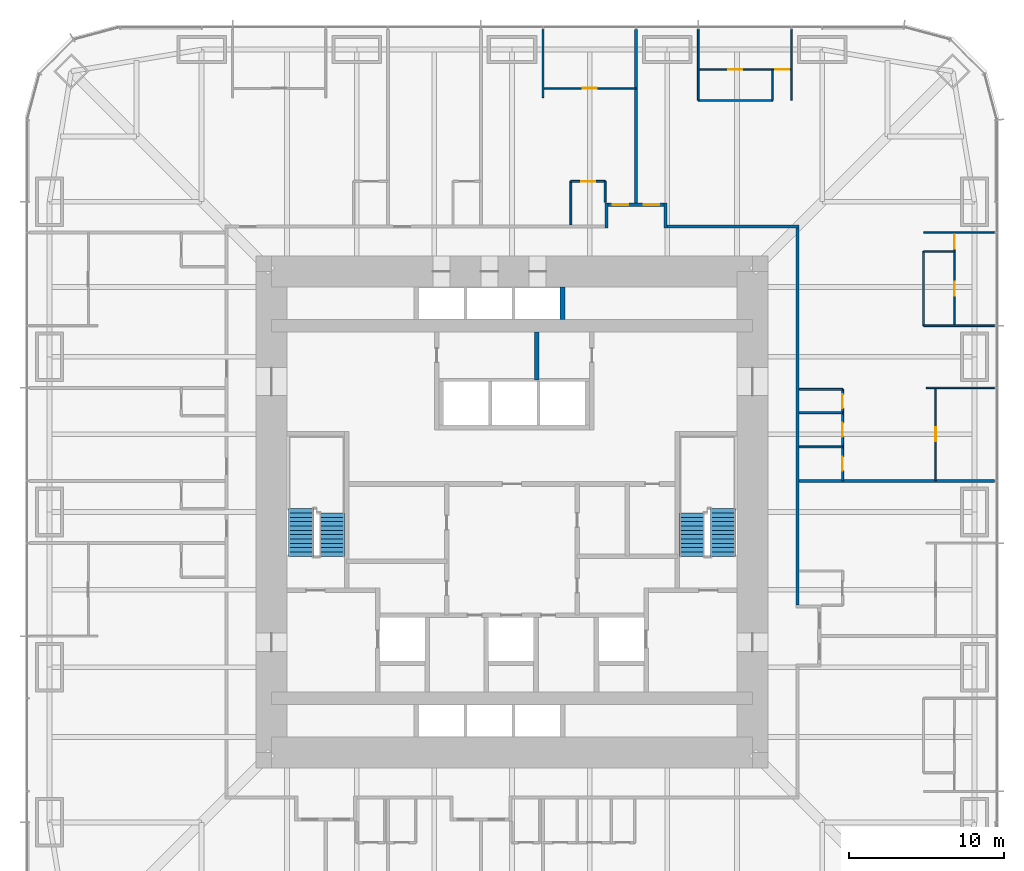
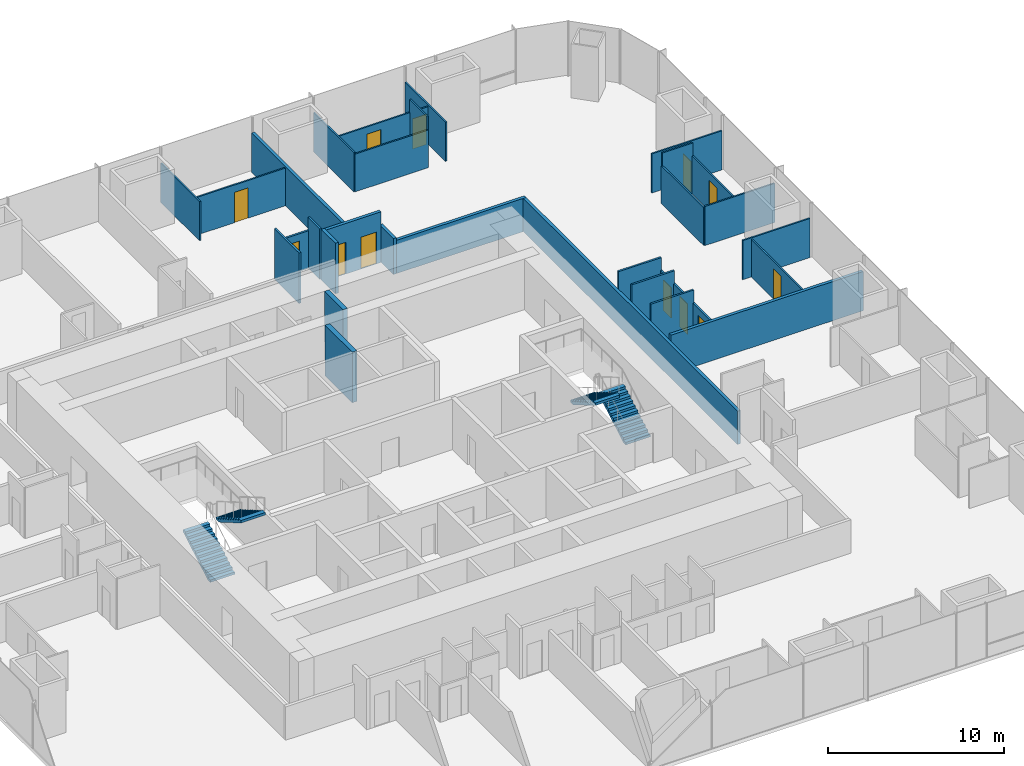
# One storey, part 15 of 16: 30 walls, 12 doors, 4 stair flights, 12 openings, 2 elements without a shape of their own.
"""IFC4 building model written with IfcOpenShell, lengths in metres."""

from ifc_helpers import new_model, si_unit, direction, frame, frame_2d, origin, place, context, subcontext, project, spatial, polyline, rectangle, outline, extrude, material, layer, layer_set, type_object, element, fill, aggregate, save


model = new_model("IFC4")

# Units and contexts
model_context = context("Model", 3, precision=1e-05, world=origin(), true_north=direction((0.0, 1.0)))
body_context = subcontext(model_context, "Body", "Model", "MODEL_VIEW")
ifc_project = project(units=[si_unit("LENGTHUNIT", "METRE"), si_unit("AREAUNIT", "SQUARE_METRE"), si_unit("VOLUMEUNIT", "CUBIC_METRE"), si_unit("PLANEANGLEUNIT", "RADIAN"), si_unit("MASSUNIT", "GRAM", prefix="KILO")], contexts=[model_context])

# Site, building, storey
site_placement = place(None, origin())
site = spatial("IfcSite", under=ifc_project, at=site_placement, CompositionType="ELEMENT")
building_placement = place(site_placement, origin())
building = spatial("IfcBuilding", under=site, at=building_placement, Name="Khuree Lantern Residences", CompositionType="ELEMENT")
storey_placement = place(building_placement, frame((0.0, 0.0, 66.0)))
storey = spatial("IfcBuildingStorey", under=building, at=storey_placement, Name="L16", CompositionType="ELEMENT", Elevation=66.0)

# Wall, openings, doors
ifc_material_1 = material(Name="Moisture-resistant gypsum board on steel studs", Category="steel")
ifc_layer_1 = layer(ifc_material_1, 0.125)
ifc_layer_set_1 = layer_set([ifc_layer_1], Name="BATHROOM WALL BTW125")
wall_type_1 = type_object("IfcWallType", Name="BATHROOM WALL BTW125", PredefinedType="PARTITIONING", material=ifc_layer_set_1)
wall_1_placement = place(storey_placement, frame((21.300048828125, 2.0, 0.0), z_axis=(0.0, 0.0, 1.0), x_axis=(0.0, 1.0, 0.0)))
wall_1 = element("IfcWall", 1, at=wall_1_placement, inside=storey, type_object=wall_type_1, Name="L16 BATHROOM WALL 02", PredefinedType="PARTITIONING", context=body_context, shape_type="SweptSolid", body=[
    extrude(rectangle(XDim=5.89990234375, YDim=0.125, at=frame_2d((2.949951171875, 0.0))), origin(), (0.0, 0.0, 1.0), 2.610107421875),
])
opening_1_placement = place(wall_1_placement, frame((0.64990234375, 0.0, 0.0)))
opening_1 = element("IfcOpeningElement", 2, at=opening_1_placement, cuts=wall_1, Name="Opening 16-031", PredefinedType="OPENING", context=body_context, shape_type="SweptSolid", body=[
    extrude(rectangle(XDim=0.89990234375, YDim=2.10009765625, at=frame_2d((0.449951171875, 1.050048828125))), frame((0.0, 0.072509765625, 0.0), z_axis=(0.0, -1.0, 0.0), x_axis=(1.0, 0.0, 0.0)), (0.0, 0.0, 1.0), 0.14501953125),
])
opening_2_placement = place(wall_1_placement, frame((2.85009765625, 0.0, 0.0)))
opening_2 = element("IfcOpeningElement", 3, at=opening_2_placement, cuts=wall_1, Name="Opening 16-032", PredefinedType="OPENING", context=body_context, shape_type="SweptSolid", body=[
    extrude(rectangle(XDim=0.89990234375, YDim=2.10009765625, at=frame_2d((0.449951171875, 1.050048828125))), frame((0.0, 0.072509765625, 0.0), z_axis=(0.0, -1.0, 0.0), x_axis=(1.0, 0.0, 0.0)), (0.0, 0.0, 1.0), 0.14501953125),
])
opening_3_placement = place(wall_1_placement, frame((4.699951171875, 0.0, 0.0)))
opening_3 = element("IfcOpeningElement", 4, at=opening_3_placement, cuts=wall_1, Name="Opening 16-033", PredefinedType="OPENING", context=body_context, shape_type="SweptSolid", body=[
    extrude(rectangle(XDim=0.89990234375, YDim=2.10009765625, at=frame_2d((0.449951171875, 1.050048828125))), frame((0.0, 0.072509765625, 0.0), z_axis=(0.0, -1.0, 0.0), x_axis=(1.0, 0.0, 0.0)), (0.0, 0.0, 1.0), 0.14501953125),
])
ifc_material_2 = material(Name="Timber door leaf in hardwood frame", Category="wood")
door_type_1 = type_object("IfcDoorType", Name="BATHROOM DOOR 900X2100", OperationType="SINGLE_SWING_LEFT", PredefinedType="DOOR", material=ifc_material_2)
door_1_placement = place(opening_1_placement, origin())
door_1 = element("IfcDoor", 5, at=door_1_placement, inside=storey, type_object=door_type_1, Name="Bathroom door 16-031", OperationType="SINGLE_SWING_LEFT", OverallHeight=2.10009765625, OverallWidth=0.89990234375, PredefinedType="DOOR", context=body_context, shape_type="SweptSolid", body=[
    extrude(rectangle(XDim=0.89990234375, YDim=2.10009765625, at=frame_2d((0.449951171875, 1.050048828125))), frame((0.0, 0.02490234375, 0.0), z_axis=(0.0, -1.0, 0.0), x_axis=(1.0, 0.0, 0.0)), (0.0, 0.0, 1.0), 0.050048828125),
])
fill(opening_1, door_1)
door_2_placement = place(opening_2_placement, origin())
door_2 = element("IfcDoor", 6, at=door_2_placement, inside=storey, type_object=door_type_1, Name="Bathroom door 16-032", OperationType="SINGLE_SWING_LEFT", OverallHeight=2.10009765625, OverallWidth=0.89990234375, PredefinedType="DOOR", context=body_context, shape_type="SweptSolid", body=[
    extrude(rectangle(XDim=0.89990234375, YDim=2.10009765625, at=frame_2d((0.449951171875, 1.050048828125))), frame((0.0, 0.02490234375, 0.0), z_axis=(0.0, -1.0, 0.0), x_axis=(1.0, 0.0, 0.0)), (0.0, 0.0, 1.0), 0.050048828125),
])
fill(opening_2, door_2)
door_type_2 = type_object("IfcDoorType", Name="WC DOOR 900X2100", OperationType="SINGLE_SWING_LEFT", PredefinedType="DOOR", material=ifc_material_2)
door_3_placement = place(opening_3_placement, origin())
door_3 = element("IfcDoor", 7, at=door_3_placement, inside=storey, type_object=door_type_2, Name="WC door 16-033", OperationType="SINGLE_SWING_LEFT", OverallHeight=2.10009765625, OverallWidth=0.89990234375, PredefinedType="DOOR", context=body_context, shape_type="SweptSolid", body=[
    extrude(rectangle(XDim=0.89990234375, YDim=2.10009765625, at=frame_2d((0.449951171875, 1.050048828125))), frame((0.0, 0.02490234375, 0.0), z_axis=(0.0, -1.0, 0.0), x_axis=(1.0, 0.0, 0.0)), (0.0, 0.0, 1.0), 0.050048828125),
])
fill(opening_3, door_3)

# Walls
for number, where, z_axis, x_axis, name in (
    (8, (18.5, 4.199951171875, 0.0), (0.0, 0.0, 1.0), (1.0, 0.0, 0.0), "L16 BATHROOM WALL 02"),
    (9, (18.5, 6.39990234375, 0.0), (0.0, 0.0, 1.0), (1.0, 0.0, 0.0), "L16 BATHROOM WALL 02"),
    (10, (18.5, 7.89990234375, 0.0), (0.0, 0.0, 1.0), (1.0, 0.0, 0.0), "L16 BATHROOM WALL 02"),
):
    element("IfcWall", number, at=place(storey_placement, frame(where, z_axis=z_axis, x_axis=x_axis)), inside=storey, type_object=wall_type_1, Name=name, PredefinedType="PARTITIONING", context=body_context, shape_type="SweptSolid", body=[
        extrude(rectangle(XDim=2.800048828125, YDim=0.125, at=frame_2d((1.39990234375, 0.0))), origin(), (0.0, 0.0, 1.0), 3.5),
    ])

# Wall, opening, door
wall_2_placement = place(storey_placement, frame((6.0, 21.300048828125, 0.0), z_axis=(0.0, 0.0, 1.0), x_axis=(-1.0, 0.0, 0.0)))
wall_2 = element("IfcWall", 11, at=wall_2_placement, inside=storey, type_object=wall_type_1, Name="L16 BATHROOM WALL 03", PredefinedType="PARTITIONING", context=body_context, shape_type="SweptSolid", body=[
    extrude(rectangle(XDim=2.199951171875, YDim=0.125, at=frame_2d((1.10009765625, 0.0))), origin(), (0.0, 0.0, 1.0), 2.610107421875),
])
opening_4_placement = place(wall_2_placement, frame((0.64990234375, 0.0, 0.0)))
opening_4 = element("IfcOpeningElement", 12, at=opening_4_placement, cuts=wall_2, Name="Opening 16-036", PredefinedType="OPENING", context=body_context, shape_type="SweptSolid", body=[
    extrude(rectangle(XDim=0.89990234375, YDim=2.10009765625, at=frame_2d((0.449951171875, 1.050048828125))), frame((0.0, 0.072509765625, 0.0), z_axis=(0.0, -1.0, 0.0), x_axis=(1.0, 0.0, 0.0)), (0.0, 0.0, 1.0), 0.14501953125),
])
door_4_placement = place(opening_4_placement, origin())
door_4 = element("IfcDoor", 13, at=door_4_placement, inside=storey, type_object=door_type_1, Name="Bathroom door 16-036", OperationType="SINGLE_SWING_LEFT", OverallHeight=2.10009765625, OverallWidth=0.89990234375, PredefinedType="DOOR", context=body_context, shape_type="SweptSolid", body=[
    extrude(rectangle(XDim=0.89990234375, YDim=2.10009765625, at=frame_2d((0.449951171875, 1.050048828125))), frame((0.0, 0.02490234375, 0.0), z_axis=(0.0, -1.0, 0.0), x_axis=(1.0, 0.0, 0.0)), (0.0, 0.0, 1.0), 0.050048828125),
])
fill(opening_4, door_4)

# Walls
wall_3_placement = place(storey_placement, frame((6.0, 19.969970703125, 0.0), z_axis=(0.0, 0.0, 1.0), x_axis=(0.0, 1.0, 0.0)))
element("IfcWall", 14, at=wall_3_placement, inside=storey, type_object=wall_type_1, Name="L16 BATHROOM WALL 03", PredefinedType="PARTITIONING", context=body_context, shape_type="SweptSolid", body=[
    extrude(rectangle(XDim=1.330078125, YDim=0.125, at=frame_2d((0.6650390625, 0.0))), origin(), (0.0, 0.0, 1.0), 3.5),
])
wall_4_placement = place(storey_placement, frame((3.800048828125, 18.5, 0.0), z_axis=(0.0, 0.0, 1.0), x_axis=(0.0, 1.0, 0.0)))
element("IfcWall", 15, at=wall_4_placement, inside=storey, type_object=wall_type_1, Name="L16 BATHROOM WALL 03", PredefinedType="PARTITIONING", context=body_context, shape_type="SweptSolid", body=[
    extrude(rectangle(XDim=2.800048828125, YDim=0.125, at=frame_2d((1.39990234375, 0.0))), origin(), (0.0, 0.0, 1.0), 3.5),
])
ifc_material_3 = material(Name="Dense concrete blockwork", Category="masonry")
ifc_layer_2 = layer(ifc_material_3, 0.300048828125)
ifc_layer_set_2 = layer_set([ifc_layer_2], Name="CORE PARTITION WALL CPW300 EI 120")
wall_type_2 = type_object("IfcWallType", Name="CORE PARTITION WALL CPW300 EI 120", PredefinedType="PARTITIONING", material=ifc_layer_set_2)
wall_5_placement = place(storey_placement, frame((3.25, 12.39990234375, 0.0), z_axis=(0.0, 0.0, 1.0), x_axis=(0.0, 1.0, 0.0)))
element("IfcWall", 16, at=wall_5_placement, inside=storey, type_object=wall_type_2, Name="L16 CORE WALL PLE", PredefinedType="PARTITIONING", context=body_context, shape_type="SweptSolid", body=[
    extrude(rectangle(XDim=2.10009765625, YDim=0.300048828125, at=frame_2d((1.050048828125, 0.0))), origin(), (0.0, 0.0, 1.0), 3.5),
])
wall_6_placement = place(storey_placement, frame((1.60009765625, 8.5, 0.0), z_axis=(0.0, 0.0, 1.0), x_axis=(0.0, 1.0, 0.0)))
element("IfcWall", 17, at=wall_6_placement, inside=storey, type_object=wall_type_2, Name="L16 CORE WALL NX", PredefinedType="PARTITIONING", context=body_context, shape_type="SweptSolid", body=[
    extrude(rectangle(XDim=3.10009765625, YDim=0.300048828125, at=frame_2d((1.550048828125, 0.0))), origin(), (0.0, 0.0, 1.0), 3.5),
])
ifc_material_4 = material(Name="Gypsum board on steel studs", Category="steel")
ifc_layer_3 = layer(ifc_material_4, 0.199951171875)
ifc_layer_set_3 = layer_set([ifc_layer_3], Name="CORRIDOR WALL CRW200 EI 60")
wall_type_3 = type_object("IfcWallType", Name="CORRIDOR WALL CRW200 EI 60", PredefinedType="PARTITIONING", material=ifc_layer_set_3)
wall_7_placement = place(storey_placement, frame((18.39990234375, -6.0, 0.0), z_axis=(0.0, 0.0, 1.0), x_axis=(0.0, 1.0, 0.0)))
element("IfcWall", 18, at=wall_7_placement, inside=storey, type_object=wall_type_3, Name="L16 CORRIDOR WALL EAST 2", PredefinedType="PARTITIONING", context=body_context, shape_type="SweptSolid", body=[
    extrude(rectangle(XDim=24.300048828125, YDim=0.199951171875, at=frame_2d((12.14990234375, 0.0))), origin(), (0.0, 0.0, 1.0), 2.300048828125),
])
wall_8_placement = place(storey_placement, frame((6.10009765625, 18.300048828125, 0.0), z_axis=(0.0, 0.0, 1.0), x_axis=(0.0, 1.0, 0.0)))
element("IfcWall", 19, at=wall_8_placement, inside=storey, type_object=wall_type_3, Name="L16 CORRIDOR ALCOVE WALL NORTH", PredefinedType="PARTITIONING", context=body_context, shape_type="SweptSolid", body=[
    extrude(rectangle(XDim=1.599853515625, YDim=0.199951171875, at=frame_2d((0.7998046875, 0.0))), origin(), (0.0, 0.0, 1.0), 3.5),
])
wall_9_placement = place(storey_placement, frame((9.89990234375, 18.300048828125, 0.0), z_axis=(0.0, 0.0, 1.0), x_axis=(0.0, 1.0, 0.0)))
element("IfcWall", 20, at=wall_9_placement, inside=storey, type_object=wall_type_3, Name="L16 CORRIDOR ALCOVE WALL NORTH", PredefinedType="PARTITIONING", context=body_context, shape_type="SweptSolid", body=[
    extrude(rectangle(XDim=1.599853515625, YDim=0.199951171875, at=frame_2d((0.7998046875, 0.0))), origin(), (0.0, 0.0, 1.0), 2.491943359375),
])

# Wall, openings, doors
wall_10_placement = place(storey_placement, frame((6.199951171875, 19.800048828125, 0.0), z_axis=(0.0, 0.0, 1.0), x_axis=(1.0, 0.0, 0.0)))
wall_10 = element("IfcWall", 21, at=wall_10_placement, inside=storey, type_object=wall_type_3, Name="L16 CORRIDOR ALCOVE WALL NORTH", PredefinedType="PARTITIONING", context=body_context, shape_type="SweptSolid", body=[
    extrude(rectangle(XDim=3.60009765625, YDim=0.199951171875, at=frame_2d((1.800048828125, 0.0))), origin(), (0.0, 0.0, 1.0), 3.5),
])
opening_5_placement = place(wall_10_placement, frame((2.300048828125, 0.0, 0.0)))
opening_5 = element("IfcOpeningElement", 22, at=opening_5_placement, cuts=wall_10, Name="Opening 16-034", PredefinedType="OPENING", context=body_context, shape_type="SweptSolid", body=[
    extrude(rectangle(XDim=1.0, YDim=2.199951171875, at=frame_2d((0.5, 1.10009765625))), frame((0.0, 0.10986328125, 0.0), z_axis=(0.0, -1.0, 0.0), x_axis=(1.0, 0.0, 0.0)), (0.0, 0.0, 1.0), 0.219970703125),
])
opening_6_placement = place(wall_10_placement, frame((0.300048828125, 0.0, 0.0)))
opening_6 = element("IfcOpeningElement", 23, at=opening_6_placement, cuts=wall_10, Name="Opening 16-037", PredefinedType="OPENING", context=body_context, shape_type="SweptSolid", body=[
    extrude(rectangle(XDim=1.0, YDim=2.199951171875, at=frame_2d((0.5, 1.10009765625))), frame((0.0, 0.10986328125, 0.0), z_axis=(0.0, -1.0, 0.0), x_axis=(1.0, 0.0, 0.0)), (0.0, 0.0, 1.0), 0.219970703125),
])
door_type_3 = type_object("IfcDoorType", Name="APARTMENT ENTRANCE DOOR 1000X2200 EI 30S", OperationType="SINGLE_SWING_LEFT", PredefinedType="DOOR", material=ifc_material_2)
door_5_placement = place(opening_5_placement, origin())
door_5 = element("IfcDoor", 24, at=door_5_placement, inside=storey, type_object=door_type_3, Name="Apartment 02 entrance door 16-034", OperationType="SINGLE_SWING_LEFT", OverallHeight=2.199951171875, OverallWidth=1.0, PredefinedType="DOOR", context=body_context, shape_type="SweptSolid", body=[
    extrude(rectangle(XDim=1.0, YDim=2.199951171875, at=frame_2d((0.5, 1.10009765625))), frame((0.0, 0.02490234375, 0.0), z_axis=(0.0, -1.0, 0.0), x_axis=(1.0, 0.0, 0.0)), (0.0, 0.0, 1.0), 0.050048828125),
])
fill(opening_5, door_5)
door_6_placement = place(opening_6_placement, origin())
door_6 = element("IfcDoor", 25, at=door_6_placement, inside=storey, type_object=door_type_3, Name="Apartment 03 entrance door 16-037", OperationType="SINGLE_SWING_LEFT", OverallHeight=2.199951171875, OverallWidth=1.0, PredefinedType="DOOR", context=body_context, shape_type="SweptSolid", body=[
    extrude(rectangle(XDim=1.0, YDim=2.199951171875, at=frame_2d((0.5, 1.10009765625))), frame((0.0, 0.02490234375, 0.0), z_axis=(0.0, -1.0, 0.0), x_axis=(1.0, 0.0, 0.0)), (0.0, 0.0, 1.0), 0.050048828125),
])
fill(opening_6, door_6)

# Walls
wall_11_placement = place(storey_placement, frame((10.0, 18.39990234375, 0.0), z_axis=(0.0, 0.0, 1.0), x_axis=(1.0, 0.0, 0.0)))
element("IfcWall", 26, at=wall_11_placement, inside=storey, type_object=wall_type_3, Name="L16 CORRIDOR WALL NORTH 2", PredefinedType="PARTITIONING", context=body_context, shape_type="SweptSolid", body=[
    extrude(rectangle(XDim=8.5, YDim=0.199951171875, at=frame_2d((4.25, 0.0))), origin(), (0.0, 0.0, 1.0), 2.300048828125),
])
ifc_layer_4 = layer(ifc_material_4, 0.199951171875)
ifc_layer_set_4 = layer_set([ifc_layer_4], Name="DEMISING WALL DMW200 EI 90")
wall_type_4 = type_object("IfcWallType", Name="DEMISING WALL DMW200 EI 90", PredefinedType="PARTITIONING", material=ifc_layer_set_4)
wall_12_placement = place(storey_placement, frame((18.5, 2.0, 0.0), z_axis=(0.0, 0.0, 1.0), x_axis=(1.0, 0.0, 0.0)))
element("IfcWall", 27, at=wall_12_placement, inside=storey, type_object=wall_type_4, Name="L16 DEMISING WALL 02", PredefinedType="PARTITIONING", context=body_context, shape_type="SweptSolid", body=[
    extrude(rectangle(XDim=12.60009765625, YDim=0.199951171875, at=frame_2d((6.300048828125, 0.0))), origin(), (0.0, 0.0, 1.0), 2.7099609375),
])
wall_13_placement = place(storey_placement, frame((8.0, 19.89990234375, 0.0), z_axis=(0.0, 0.0, 1.0), x_axis=(0.0, 1.0, 0.0)))
element("IfcWall", 28, at=wall_13_placement, inside=storey, type_object=wall_type_4, Name="L16 DEMISING WALL 03", PredefinedType="PARTITIONING", context=body_context, shape_type="SweptSolid", body=[
    extrude(rectangle(XDim=11.2001953125, YDim=0.199951171875, at=frame_2d((5.60009765625, 0.0))), origin(), (0.0, 0.0, 1.0), 2.7099609375),
])
ifc_layer_5 = layer(ifc_material_4, 0.10009765625)
ifc_layer_set_5 = layer_set([ifc_layer_5], Name="PARTITION PT100")
wall_type_5 = type_object("IfcWallType", Name="PARTITION PT100", PredefinedType="PARTITIONING", material=ifc_layer_set_5)
wall_14_placement = place(storey_placement, frame((26.699951171875, 8.0, 0.0), z_axis=(0.0, 0.0, 1.0), x_axis=(1.0, 0.0, 0.0)))
element("IfcWall", 29, at=wall_14_placement, inside=storey, type_object=wall_type_5, Name="L16 PARTITION 02", PredefinedType="PARTITIONING", context=body_context, shape_type="SweptSolid", body=[
    extrude(rectangle(XDim=4.400146484375, YDim=0.10009765625, at=frame_2d((2.2001953125, 0.0))), origin(), (0.0, 0.0, 1.0), 2.7099609375),
])
for number, where, z_axis, x_axis, name in (
    (30, (26.5166015625, 12.0, 0.0), (0.0, 0.0, 1.0), (1.0, 0.0, 0.0), "L16 PARTITION 02"),
    (31, (26.5166015625, 18.0, 0.0), (0.0, 0.0, 1.0), (1.0, 0.0, 0.0), "L16 PARTITION 02"),
    (32, (18.0, 26.5166015625, 0.0), (0.0, 0.0, 1.0), (0.0, 1.0, 0.0), "L16 PARTITION 02"),
    (33, (12.0, 26.5166015625, 0.0), (0.0, 0.0, 1.0), (0.0, 1.0, 0.0), "L16 PARTITION 02"),
):
    element("IfcWall", number, at=place(storey_placement, frame(where, z_axis=z_axis, x_axis=x_axis)), inside=storey, type_object=wall_type_5, Name=name, PredefinedType="PARTITIONING", context=body_context, shape_type="SweptSolid", body=[
        extrude(rectangle(XDim=4.58349609375, YDim=0.10009765625, at=frame_2d((2.291748046875, 0.0))), origin(), (0.0, 0.0, 1.0), 2.7099609375),
    ])
wall_15_placement = place(storey_placement, frame((2.0, 26.699951171875, 0.0), z_axis=(0.0, 0.0, 1.0), x_axis=(0.0, 1.0, 0.0)))
element("IfcWall", 34, at=wall_15_placement, inside=storey, type_object=wall_type_5, Name="L16 PARTITION 03", PredefinedType="PARTITIONING", context=body_context, shape_type="SweptSolid", body=[
    extrude(rectangle(XDim=4.400146484375, YDim=0.10009765625, at=frame_2d((2.2001953125, 0.0))), origin(), (0.0, 0.0, 1.0), 2.7099609375),
])

# Wall, opening, door
wall_16_placement = place(storey_placement, frame((27.300048828125, 2.0, 0.0), z_axis=(0.0, 0.0, 1.0), x_axis=(0.0, 1.0, 0.0)))
wall_16 = element("IfcWall", 35, at=wall_16_placement, inside=storey, type_object=wall_type_5, Name="L16 PARTITION 02", PredefinedType="PARTITIONING", context=body_context, shape_type="SweptSolid", body=[
    extrude(rectangle(XDim=6.0, YDim=0.10009765625, at=frame_2d((3.0, 0.0))), origin(), (0.0, 0.0, 1.0), 2.610107421875),
])
opening_7_placement = place(wall_16_placement, frame((2.550048828125, 0.0, 0.0)))
opening_7 = element("IfcOpeningElement", 36, at=opening_7_placement, cuts=wall_16, Name="Opening 16-026", PredefinedType="OPENING", context=body_context, shape_type="SweptSolid", body=[
    extrude(rectangle(XDim=0.89990234375, YDim=2.10009765625, at=frame_2d((0.449951171875, 1.050048828125))), frame((0.0, 0.06005859375, 0.0), z_axis=(0.0, -1.0, 0.0), x_axis=(1.0, 0.0, 0.0)), (0.0, 0.0, 1.0), 0.1201171875),
])
door_type_4 = type_object("IfcDoorType", Name="BEDROOM DOOR 900X2100", OperationType="SINGLE_SWING_LEFT", PredefinedType="DOOR", material=ifc_material_2)
door_7_placement = place(opening_7_placement, origin())
door_7 = element("IfcDoor", 37, at=door_7_placement, inside=storey, type_object=door_type_4, Name="Bedroom door 16-026", OperationType="SINGLE_SWING_LEFT", OverallHeight=2.10009765625, OverallWidth=0.89990234375, PredefinedType="DOOR", context=body_context, shape_type="SweptSolid", body=[
    extrude(rectangle(XDim=0.89990234375, YDim=2.10009765625, at=frame_2d((0.449951171875, 1.050048828125))), frame((0.0, 0.02490234375, 0.0), z_axis=(0.0, -1.0, 0.0), x_axis=(1.0, 0.0, 0.0)), (0.0, 0.0, 1.0), 0.050048828125),
])
fill(opening_7, door_7)

# Wall, openings, doors
wall_17_placement = place(storey_placement, frame((28.5166015625, 12.0, 0.0), z_axis=(0.0, 0.0, 1.0), x_axis=(0.0, 1.0, 0.0)))
wall_17 = element("IfcWall", 38, at=wall_17_placement, inside=storey, type_object=wall_type_5, Name="L16 PARTITION 02", PredefinedType="PARTITIONING", context=body_context, shape_type="SweptSolid", body=[
    extrude(rectangle(XDim=6.0, YDim=0.10009765625, at=frame_2d((3.0, 0.0))), origin(), (0.0, 0.0, 1.0), 2.610107421875),
])
opening_8_placement = place(wall_17_placement, frame((4.949951171875, 0.0, 0.0)))
opening_8 = element("IfcOpeningElement", 39, at=opening_8_placement, cuts=wall_17, Name="Opening 16-027", PredefinedType="OPENING", context=body_context, shape_type="SweptSolid", body=[
    extrude(rectangle(XDim=0.89990234375, YDim=2.10009765625, at=frame_2d((0.449951171875, 1.050048828125))), frame((0.0, 0.06005859375, 0.0), z_axis=(0.0, -1.0, 0.0), x_axis=(1.0, 0.0, 0.0)), (0.0, 0.0, 1.0), 0.1201171875),
])
opening_9_placement = place(wall_17_placement, frame((1.949951171875, 0.0, 0.0)))
opening_9 = element("IfcOpeningElement", 40, at=opening_9_placement, cuts=wall_17, Name="Opening 16-028", PredefinedType="OPENING", context=body_context, shape_type="SweptSolid", body=[
    extrude(rectangle(XDim=0.89990234375, YDim=2.10009765625, at=frame_2d((0.449951171875, 1.050048828125))), frame((0.0, 0.06005859375, 0.0), z_axis=(0.0, -1.0, 0.0), x_axis=(1.0, 0.0, 0.0)), (0.0, 0.0, 1.0), 0.1201171875),
])
door_8_placement = place(opening_8_placement, origin())
door_8 = element("IfcDoor", 41, at=door_8_placement, inside=storey, type_object=door_type_4, Name="Bedroom door 16-027", OperationType="SINGLE_SWING_LEFT", OverallHeight=2.10009765625, OverallWidth=0.89990234375, PredefinedType="DOOR", context=body_context, shape_type="SweptSolid", body=[
    extrude(rectangle(XDim=0.89990234375, YDim=2.10009765625, at=frame_2d((0.449951171875, 1.050048828125))), frame((0.0, 0.02490234375, 0.0), z_axis=(0.0, -1.0, 0.0), x_axis=(1.0, 0.0, 0.0)), (0.0, 0.0, 1.0), 0.050048828125),
])
fill(opening_8, door_8)
door_type_5 = type_object("IfcDoorType", Name="DOOR 900X2100", OperationType="SINGLE_SWING_LEFT", PredefinedType="DOOR", material=ifc_material_2)
door_9_placement = place(opening_9_placement, origin())
door_9 = element("IfcDoor", 42, at=door_9_placement, inside=storey, type_object=door_type_5, Name="Wardrobe door 16-028", OperationType="SINGLE_SWING_LEFT", OverallHeight=2.10009765625, OverallWidth=0.89990234375, PredefinedType="DOOR", context=body_context, shape_type="SweptSolid", body=[
    extrude(rectangle(XDim=0.89990234375, YDim=2.10009765625, at=frame_2d((0.449951171875, 1.050048828125))), frame((0.0, 0.02490234375, 0.0), z_axis=(0.0, -1.0, 0.0), x_axis=(1.0, 0.0, 0.0)), (0.0, 0.0, 1.0), 0.050048828125),
])
fill(opening_9, door_9)

# Walls
wall_18_placement = place(storey_placement, frame((26.5166015625, 16.800048828125, 0.0), z_axis=(0.0, 0.0, 1.0), x_axis=(1.0, 0.0, 0.0)))
element("IfcWall", 43, at=wall_18_placement, inside=storey, type_object=wall_type_5, Name="L16 PARTITION 02", PredefinedType="PARTITIONING", context=body_context, shape_type="SweptSolid", body=[
    extrude(rectangle(XDim=2.0, YDim=0.10009765625, at=frame_2d((1.0, 0.0))), origin(), (0.0, 0.0, 1.0), 3.5),
])
wall_19_placement = place(storey_placement, frame((26.5166015625, 12.0, 0.0), z_axis=(0.0, 0.0, 1.0), x_axis=(0.0, 1.0, 0.0)))
element("IfcWall", 44, at=wall_19_placement, inside=storey, type_object=wall_type_5, Name="L16 PARTITION 02", PredefinedType="PARTITIONING", context=body_context, shape_type="SweptSolid", body=[
    extrude(rectangle(XDim=4.800048828125, YDim=0.10009765625, at=frame_2d((2.39990234375, 0.0))), origin(), (0.0, 0.0, 1.0), 2.610107421875),
])

# Wall, openings, doors
wall_20_placement = place(storey_placement, frame((18.0, 28.5166015625, 0.0), z_axis=(0.0, 0.0, 1.0), x_axis=(-1.0, 0.0, 0.0)))
wall_20 = element("IfcWall", 45, at=wall_20_placement, inside=storey, type_object=wall_type_5, Name="L16 PARTITION 02", PredefinedType="PARTITIONING", context=body_context, shape_type="SweptSolid", body=[
    extrude(rectangle(XDim=6.0, YDim=0.10009765625, at=frame_2d((3.0, 0.0))), origin(), (0.0, 0.0, 1.0), 2.610107421875),
])
opening_10_placement = place(wall_20_placement, frame((0.14990234375, 0.0, 0.0)))
opening_10 = element("IfcOpeningElement", 46, at=opening_10_placement, cuts=wall_20, Name="Opening 16-029", PredefinedType="OPENING", context=body_context, shape_type="SweptSolid", body=[
    extrude(rectangle(XDim=0.89990234375, YDim=2.10009765625, at=frame_2d((0.449951171875, 1.050048828125))), frame((0.0, 0.06005859375, 0.0), z_axis=(0.0, -1.0, 0.0), x_axis=(1.0, 0.0, 0.0)), (0.0, 0.0, 1.0), 0.1201171875),
])
opening_11_placement = place(wall_20_placement, frame((3.14990234375, 0.0, 0.0)))
opening_11 = element("IfcOpeningElement", 47, at=opening_11_placement, cuts=wall_20, Name="Opening 16-030", PredefinedType="OPENING", context=body_context, shape_type="SweptSolid", body=[
    extrude(rectangle(XDim=0.89990234375, YDim=2.10009765625, at=frame_2d((0.449951171875, 1.050048828125))), frame((0.0, 0.06005859375, 0.0), z_axis=(0.0, -1.0, 0.0), x_axis=(1.0, 0.0, 0.0)), (0.0, 0.0, 1.0), 0.1201171875),
])
door_10_placement = place(opening_10_placement, origin())
door_10 = element("IfcDoor", 48, at=door_10_placement, inside=storey, type_object=door_type_4, Name="Bedroom door 16-029", OperationType="SINGLE_SWING_LEFT", OverallHeight=2.10009765625, OverallWidth=0.89990234375, PredefinedType="DOOR", context=body_context, shape_type="SweptSolid", body=[
    extrude(rectangle(XDim=0.89990234375, YDim=2.10009765625, at=frame_2d((0.449951171875, 1.050048828125))), frame((0.0, 0.02490234375, 0.0), z_axis=(0.0, -1.0, 0.0), x_axis=(1.0, 0.0, 0.0)), (0.0, 0.0, 1.0), 0.050048828125),
])
fill(opening_10, door_10)
door_11_placement = place(opening_11_placement, origin())
door_11 = element("IfcDoor", 49, at=door_11_placement, inside=storey, type_object=door_type_5, Name="Wardrobe door 16-030", OperationType="SINGLE_SWING_LEFT", OverallHeight=2.10009765625, OverallWidth=0.89990234375, PredefinedType="DOOR", context=body_context, shape_type="SweptSolid", body=[
    extrude(rectangle(XDim=0.89990234375, YDim=2.10009765625, at=frame_2d((0.449951171875, 1.050048828125))), frame((0.0, 0.02490234375, 0.0), z_axis=(0.0, -1.0, 0.0), x_axis=(1.0, 0.0, 0.0)), (0.0, 0.0, 1.0), 0.050048828125),
])
fill(opening_11, door_11)

# Walls
wall_21_placement = place(storey_placement, frame((16.800048828125, 26.5166015625, 0.0), z_axis=(0.0, 0.0, 1.0), x_axis=(0.0, 1.0, 0.0)))
element("IfcWall", 50, at=wall_21_placement, inside=storey, type_object=wall_type_5, Name="L16 PARTITION 02", PredefinedType="PARTITIONING", context=body_context, shape_type="SweptSolid", body=[
    extrude(rectangle(XDim=2.0, YDim=0.10009765625, at=frame_2d((1.0, 0.0))), origin(), (0.0, 0.0, 1.0), 3.5),
])
wall_22_placement = place(storey_placement, frame((16.800048828125, 26.5166015625, 0.0), z_axis=(0.0, 0.0, 1.0), x_axis=(-1.0, 0.0, 0.0)))
element("IfcWall", 51, at=wall_22_placement, inside=storey, type_object=wall_type_5, Name="L16 PARTITION 02", PredefinedType="PARTITIONING", context=body_context, shape_type="SweptSolid", body=[
    extrude(rectangle(XDim=4.800048828125, YDim=0.10009765625, at=frame_2d((2.39990234375, 0.0))), origin(), (0.0, 0.0, 1.0), 2.610107421875),
])

# Wall, opening, door
wall_23_placement = place(storey_placement, frame((8.0, 27.300048828125, 0.0), z_axis=(0.0, 0.0, 1.0), x_axis=(-1.0, 0.0, 0.0)))
wall_23 = element("IfcWall", 52, at=wall_23_placement, inside=storey, type_object=wall_type_5, Name="L16 PARTITION 03", PredefinedType="PARTITIONING", context=body_context, shape_type="SweptSolid", body=[
    extrude(rectangle(XDim=6.0, YDim=0.10009765625, at=frame_2d((3.0, 0.0))), origin(), (0.0, 0.0, 1.0), 2.610107421875),
])
opening_12_placement = place(wall_23_placement, frame((2.550048828125, 0.0, 0.0)))
opening_12 = element("IfcOpeningElement", 53, at=opening_12_placement, cuts=wall_23, Name="Opening 16-035", PredefinedType="OPENING", context=body_context, shape_type="SweptSolid", body=[
    extrude(rectangle(XDim=0.89990234375, YDim=2.10009765625, at=frame_2d((0.449951171875, 1.050048828125))), frame((0.0, 0.06005859375, 0.0), z_axis=(0.0, -1.0, 0.0), x_axis=(1.0, 0.0, 0.0)), (0.0, 0.0, 1.0), 0.1201171875),
])
door_12_placement = place(opening_12_placement, origin())
door_12 = element("IfcDoor", 54, at=door_12_placement, inside=storey, type_object=door_type_4, Name="Bedroom door 16-035", OperationType="SINGLE_SWING_LEFT", OverallHeight=2.10009765625, OverallWidth=0.89990234375, PredefinedType="DOOR", context=body_context, shape_type="SweptSolid", body=[
    extrude(rectangle(XDim=0.89990234375, YDim=2.10009765625, at=frame_2d((0.449951171875, 1.050048828125))), frame((0.0, 0.02490234375, 0.0), z_axis=(0.0, -1.0, 0.0), x_axis=(1.0, 0.0, 0.0)), (0.0, 0.0, 1.0), 0.050048828125),
])
fill(opening_12, door_12)

# Stair, stair flights
ifc_material_5 = material(Name="Concrete C40/50", Category="concrete")
stair_type = type_object("IfcStairType", Name="STAIR ST1 HALF TURN 3600", PredefinedType="HALF_TURN_STAIR", material=ifc_material_5)
stair_1_placement = place(storey_placement, origin())
stair_1 = element("IfcStair", 55, at=stair_1_placement, inside=storey, type_object=stair_type, Name="Stair ST1", PredefinedType="HALF_TURN_STAIR")
stair_flight_type = type_object("IfcStairFlightType", Name="STAIR FLIGHT SF1 1600", PredefinedType="STRAIGHT", material=ifc_material_5)
stair_flight_1_placement = place(storey_placement, frame((-13.60009765625, -2.860107421875, 0.0), z_axis=(0.0, 0.0, 1.0), x_axis=(0.0, 1.0, 0.0)))
stair_flight_1 = element("IfcStairFlight", 56, at=stair_flight_1_placement, type_object=stair_flight_type, Name="ST1 flight 1", NumberOfRisers=12, NumberOfTreads=11, PredefinedType="STRAIGHT", RiserHeight=0.163043478, TreadLength=0.28, context=body_context, shape_type="SweptSolid", body=[
    extrude(outline(polyline([(0.0, 0.0), (0.0, 0.1630859375), (0.280029296875, 0.1630859375), (0.280029296875, 0.326171875), (0.56005859375, 0.326171875), (0.56005859375, 0.489013671875), (0.840087890625, 0.489013671875), (0.840087890625, 0.652099609375), (1.1201171875, 0.652099609375), (1.1201171875, 0.815185546875), (1.39990234375, 0.815185546875), (1.39990234375, 0.978271484375), (1.679931640625, 0.978271484375), (1.679931640625, 1.141357421875), (1.9599609375, 1.141357421875), (1.9599609375, 1.304443359375), (2.239990234375, 1.304443359375), (2.239990234375, 1.46728515625), (2.52001953125, 1.46728515625), (2.52001953125, 1.63037109375), (2.800048828125, 1.63037109375), (2.800048828125, 1.79345703125), (3.080078125, 1.79345703125), (3.080078125, 1.95654296875), (3.080078125, 1.6201171875), (0.2978515625, 0.0), (0.0, 0.0)])), frame((0.0, 0.800048828125, 0.0), z_axis=(0.0, -1.0, 0.0), x_axis=(1.0, 0.0, 0.0)), (0.0, 0.0, 1.0), 1.60009765625),
])
stair_flight_2_placement = place(storey_placement, frame((-11.60009765625, -0.06005859375, 1.95654296875), z_axis=(0.0, 0.0, 1.0), x_axis=(0.0, -1.0, 0.0)))
stair_flight_2 = element("IfcStairFlight", 57, at=stair_flight_2_placement, type_object=stair_flight_type, Name="ST1 flight 2", NumberOfRisers=11, NumberOfTreads=10, PredefinedType="STRAIGHT", RiserHeight=0.163043478, TreadLength=0.28, context=body_context, shape_type="SweptSolid", body=[
    extrude(outline(polyline([(0.0, 0.0), (0.0, 0.1630859375), (0.280029296875, 0.1630859375), (0.280029296875, 0.326171875), (0.56005859375, 0.326171875), (0.56005859375, 0.489013671875), (0.840087890625, 0.489013671875), (0.840087890625, 0.652099609375), (1.1201171875, 0.652099609375), (1.1201171875, 0.815185546875), (1.39990234375, 0.815185546875), (1.39990234375, 0.978271484375), (1.679931640625, 0.978271484375), (1.679931640625, 1.141357421875), (1.9599609375, 1.141357421875), (1.9599609375, 1.304443359375), (2.239990234375, 1.304443359375), (2.239990234375, 1.46728515625), (2.52001953125, 1.46728515625), (2.52001953125, 1.63037109375), (2.800048828125, 1.63037109375), (2.800048828125, 1.79345703125), (2.800048828125, 1.45703125), (0.2978515625, 0.0), (0.0, 0.0)])), frame((0.0, 0.800048828125, 0.0), z_axis=(0.0, -1.0, 0.0), x_axis=(1.0, 0.0, 0.0)), (0.0, 0.0, 1.0), 1.60009765625),
])
aggregate(stair_1, [stair_flight_1, stair_flight_2])

stair_2_placement = place(storey_placement, origin())
stair_2 = element("IfcStair", 58, at=stair_2_placement, inside=storey, type_object=stair_type, Name="Stair ST2", PredefinedType="HALF_TURN_STAIR")
stair_flight_3_placement = place(storey_placement, frame((13.60009765625, -2.860107421875, 0.0), z_axis=(0.0, 0.0, 1.0), x_axis=(0.0, 1.0, 0.0)))
stair_flight_3 = element("IfcStairFlight", 59, at=stair_flight_3_placement, type_object=stair_flight_type, Name="ST2 flight 1", NumberOfRisers=12, NumberOfTreads=11, PredefinedType="STRAIGHT", RiserHeight=0.163043478, TreadLength=0.28, context=body_context, shape_type="SweptSolid", body=[
    extrude(outline(polyline([(0.0, 0.0), (0.0, 0.1630859375), (0.280029296875, 0.1630859375), (0.280029296875, 0.326171875), (0.56005859375, 0.326171875), (0.56005859375, 0.489013671875), (0.840087890625, 0.489013671875), (0.840087890625, 0.652099609375), (1.1201171875, 0.652099609375), (1.1201171875, 0.815185546875), (1.39990234375, 0.815185546875), (1.39990234375, 0.978271484375), (1.679931640625, 0.978271484375), (1.679931640625, 1.141357421875), (1.9599609375, 1.141357421875), (1.9599609375, 1.304443359375), (2.239990234375, 1.304443359375), (2.239990234375, 1.46728515625), (2.52001953125, 1.46728515625), (2.52001953125, 1.63037109375), (2.800048828125, 1.63037109375), (2.800048828125, 1.79345703125), (3.080078125, 1.79345703125), (3.080078125, 1.95654296875), (3.080078125, 1.6201171875), (0.2978515625, 0.0), (0.0, 0.0)])), frame((0.0, 0.800048828125, 0.0), z_axis=(0.0, -1.0, 0.0), x_axis=(1.0, 0.0, 0.0)), (0.0, 0.0, 1.0), 1.60009765625),
])
stair_flight_4_placement = place(storey_placement, frame((11.60009765625, -0.06005859375, 1.95654296875), z_axis=(0.0, 0.0, 1.0), x_axis=(0.0, -1.0, 0.0)))
stair_flight_4 = element("IfcStairFlight", 60, at=stair_flight_4_placement, type_object=stair_flight_type, Name="ST2 flight 2", NumberOfRisers=11, NumberOfTreads=10, PredefinedType="STRAIGHT", RiserHeight=0.163043478, TreadLength=0.28, context=body_context, shape_type="SweptSolid", body=[
    extrude(outline(polyline([(0.0, 0.0), (0.0, 0.1630859375), (0.280029296875, 0.1630859375), (0.280029296875, 0.326171875), (0.56005859375, 0.326171875), (0.56005859375, 0.489013671875), (0.840087890625, 0.489013671875), (0.840087890625, 0.652099609375), (1.1201171875, 0.652099609375), (1.1201171875, 0.815185546875), (1.39990234375, 0.815185546875), (1.39990234375, 0.978271484375), (1.679931640625, 0.978271484375), (1.679931640625, 1.141357421875), (1.9599609375, 1.141357421875), (1.9599609375, 1.304443359375), (2.239990234375, 1.304443359375), (2.239990234375, 1.46728515625), (2.52001953125, 1.46728515625), (2.52001953125, 1.63037109375), (2.800048828125, 1.63037109375), (2.800048828125, 1.79345703125), (2.800048828125, 1.45703125), (0.2978515625, 0.0), (0.0, 0.0)])), frame((0.0, 0.800048828125, 0.0), z_axis=(0.0, -1.0, 0.0), x_axis=(1.0, 0.0, 0.0)), (0.0, 0.0, 1.0), 1.60009765625),
])
aggregate(stair_2, [stair_flight_3, stair_flight_4])

save(model, "model.ifc")
